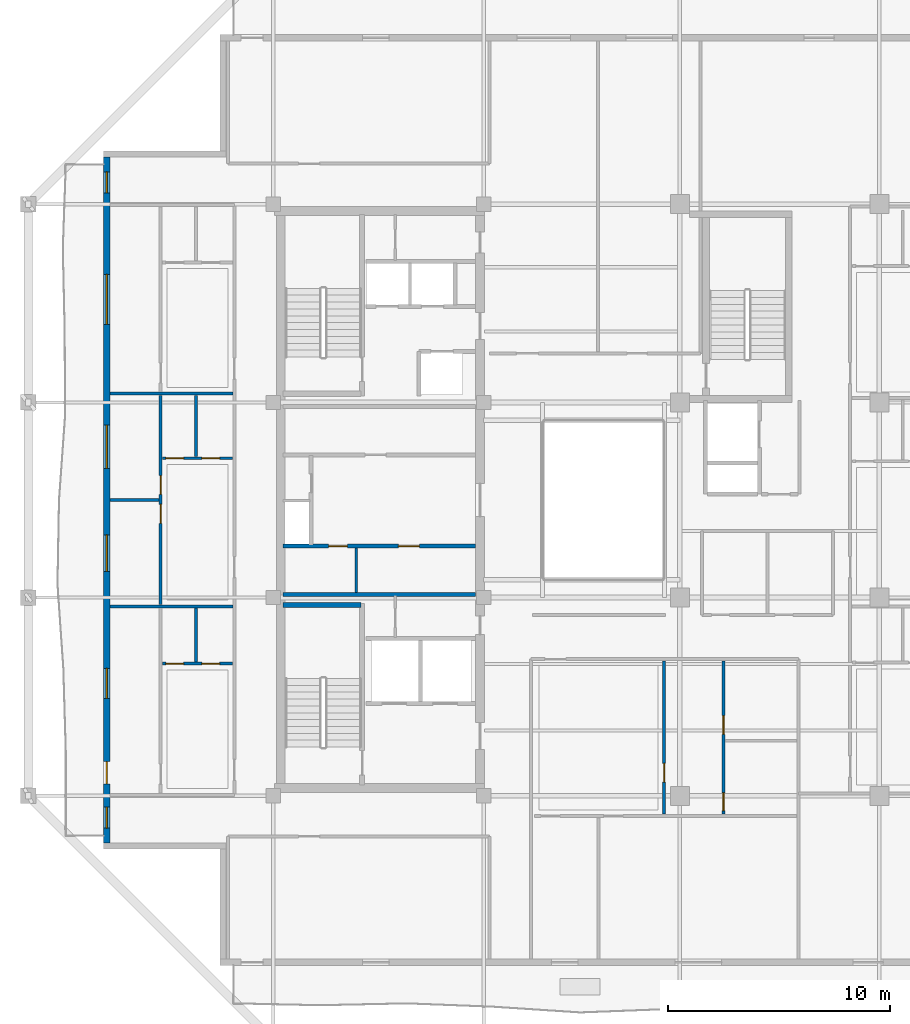
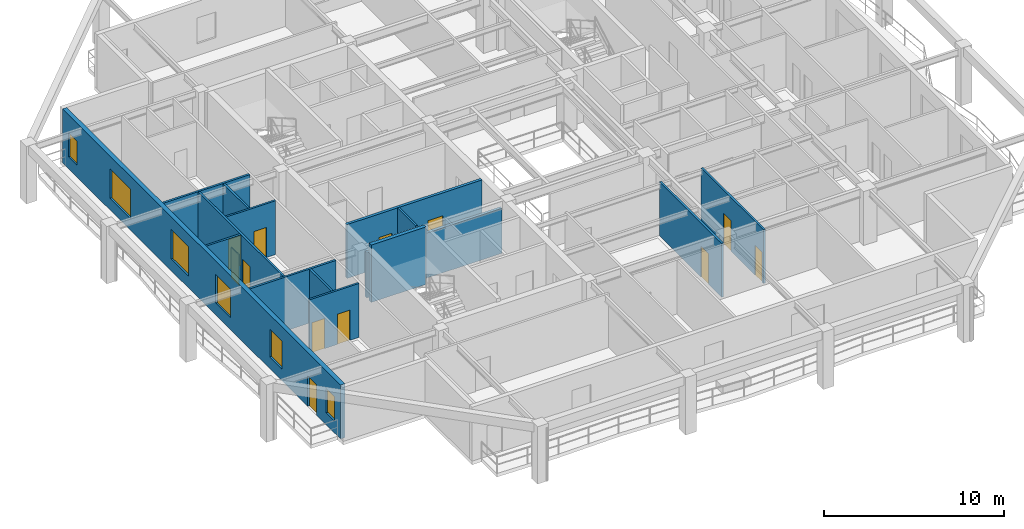
# One storey, part 3 of 13: 15 walls, 12 doors, 6 windows, 18 openings.
"""IFC4 building model written with IfcOpenShell, lengths in metres."""

from ifc_helpers import new_model, si_unit, direction, frame, frame_2d, origin, place, context, subcontext, project, spatial, rectangle, extrude, material, layer, layer_set, type_object, element, fill, save


model = new_model("IFC4")

# Units and contexts
model_context = context("Model", 3, precision=1e-05, world=origin(), true_north=direction((0.0, 1.0)))
body_context = subcontext(model_context, "Body", "Model", "MODEL_VIEW")
ifc_project = project(units=[si_unit("LENGTHUNIT", "METRE"), si_unit("AREAUNIT", "SQUARE_METRE"), si_unit("VOLUMEUNIT", "CUBIC_METRE"), si_unit("PLANEANGLEUNIT", "RADIAN"), si_unit("MASSUNIT", "GRAM", prefix="KILO")], contexts=[model_context])

# Site, building, storey
site_placement = place(None, origin())
site = spatial("IfcSite", under=ifc_project, at=site_placement, CompositionType="ELEMENT")
building_placement = place(site_placement, origin())
building = spatial("IfcBuilding", under=site, at=building_placement, Name="Kundavana Baori Tower", CompositionType="ELEMENT")
storey_placement = place(building_placement, frame((0.0, 0.0, 229.699951171875)))
storey = spatial("IfcBuildingStorey", under=building, at=storey_placement, Name="L56", CompositionType="ELEMENT", Elevation=229.699951171875)

# Wall
ifc_material_1 = material(Name="Concrete C50/60", Category="concrete")
ifc_layer_1 = layer(ifc_material_1, 0.39990234375, Name="WL-CORE-400")
ifc_layer_set_1 = layer_set([ifc_layer_1], Name="Concrete C50/60")
wall_type_1 = type_object("IfcWallType", Name="WL-CORE-400", PredefinedType="SHEAR", material=ifc_layer_set_1)
wall_1_placement = place(storey_placement, frame((15.89990234375, 23.860107421875, 0.0), z_axis=(0.0, 0.0, 1.0), x_axis=(1.0, 0.0, 0.0)))
element("IfcWall", 1, at=wall_1_placement, inside=storey, type_object=wall_type_1, Name="WL-L56-ST1-N", PredefinedType="SHEAR", context=body_context, shape_type="SweptSolid", body=[
    extrude(rectangle(XDim=3.52001953125, YDim=0.239990234375, at=frame_2d((1.760009765625, 0.0))), origin(), (0.0, 0.0, 1.0), 3.900146484375),
])

# Wall, openings, door, windows
ifc_material_2 = material(Name="Red-Buff Dholpur Sandstone Cladding on Concrete C40/50", Category="masonry")
ifc_layer_2 = layer(ifc_material_2, 0.280029296875, Name="WL-EXT-SAND-280")
ifc_layer_set_2 = layer_set([ifc_layer_2], Name="Red-Buff Dholpur Sandstone Cladding on Concrete C40/50")
wall_type_2 = type_object("IfcWallType", Name="WL-EXT-SAND-280", PredefinedType="STANDARD", material=ifc_layer_set_2)
wall_2_placement = place(storey_placement, frame((7.93994140625, 44.070068359375, 0.0), z_axis=(0.0, 0.0, 1.0), x_axis=(0.0, -1.0, 0.0)))
wall_2 = element("IfcWall", 2, at=wall_2_placement, inside=storey, type_object=wall_type_2, Name="L56 Exterior Insulated Facade Wall 10", PredefinedType="STANDARD", context=body_context, shape_type="SweptSolid", body=[
    extrude(rectangle(XDim=30.940185546875, YDim=0.280029296875, at=frame_2d((15.47021484375, 0.0))), origin(), (0.0, 0.0, 1.0), 3.66015625),
])
opening_1_placement = place(wall_2_placement, frame((29.324951171875, 0.0, 0.800048828125)))
opening_1 = element("IfcOpeningElement", 3, at=opening_1_placement, cuts=wall_2, Name="Opening W-13", PredefinedType="OPENING", context=body_context, shape_type="SweptSolid", body=[
    extrude(rectangle(XDim=0.949951171875, YDim=1.64990234375, at=frame_2d((0.47509765625, 0.824951171875))), frame((0.0, 0.14990234375, 0.0), z_axis=(0.0, -1.0, 0.0), x_axis=(1.0, 0.0, 0.0)), (0.0, 0.0, 1.0), 0.300048828125),
])
opening_2_placement = place(wall_2_placement, frame((27.280029296875, 0.0, 0.0)))
opening_2 = element("IfcOpeningElement", 4, at=opening_2_placement, cuts=wall_2, Name="Opening BD-1", PredefinedType="OPENING", context=body_context, shape_type="SweptSolid", body=[
    extrude(rectangle(XDim=1.0, YDim=2.050048828125, at=frame_2d((0.5, 1.02490234375))), frame((0.0, 0.14990234375, 0.0), z_axis=(0.0, -1.0, 0.0), x_axis=(1.0, 0.0, 0.0)), (0.0, 0.0, 1.0), 0.300048828125),
])
opening_3_placement = place(wall_2_placement, frame((23.070068359375, 0.0, 0.800048828125)))
opening_3 = element("IfcOpeningElement", 5, at=opening_3_placement, cuts=wall_2, Name="Opening W-07", PredefinedType="OPENING", context=body_context, shape_type="SweptSolid", body=[
    extrude(rectangle(XDim=1.35009765625, YDim=1.89990234375, at=frame_2d((0.675048828125, 0.949951171875))), frame((0.0, 0.14990234375, 0.0), z_axis=(0.0, -1.0, 0.0), x_axis=(1.0, 0.0, 0.0)), (0.0, 0.0, 1.0), 0.300048828125),
])
opening_4_placement = place(wall_2_placement, frame((17.044921875, 0.0, 0.800048828125)))
opening_4 = element("IfcOpeningElement", 6, at=opening_4_placement, cuts=wall_2, Name="Opening W-08", PredefinedType="OPENING", context=body_context, shape_type="SweptSolid", body=[
    extrude(rectangle(XDim=1.64990234375, YDim=1.949951171875, at=frame_2d((0.824951171875, 0.97509765625))), frame((0.0, 0.14990234375, 0.0), z_axis=(0.0, -1.0, 0.0), x_axis=(1.0, 0.0, 0.0)), (0.0, 0.0, 1.0), 0.300048828125),
])
opening_5_placement = place(wall_2_placement, frame((12.094970703125, 0.0, 0.800048828125)))
opening_5 = element("IfcOpeningElement", 7, at=opening_5_placement, cuts=wall_2, Name="Opening W-09", PredefinedType="OPENING", context=body_context, shape_type="SweptSolid", body=[
    extrude(rectangle(XDim=1.949951171875, YDim=2.0, at=frame_2d((0.97509765625, 1.0))), frame((0.0, 0.14990234375, 0.0), z_axis=(0.0, -1.0, 0.0), x_axis=(1.0, 0.0, 0.0)), (0.0, 0.0, 1.0), 0.300048828125),
])
opening_6_placement = place(wall_2_placement, frame((5.294921875, 0.0, 0.800048828125)))
opening_6 = element("IfcOpeningElement", 8, at=opening_6_placement, cuts=wall_2, Name="Opening W-10", PredefinedType="OPENING", context=body_context, shape_type="SweptSolid", body=[
    extrude(rectangle(XDim=2.25, YDim=2.0, at=frame_2d((1.125, 1.0))), frame((0.0, 0.14990234375, 0.0), z_axis=(0.0, -1.0, 0.0), x_axis=(1.0, 0.0, 0.0)), (0.0, 0.0, 1.0), 0.300048828125),
])
opening_7_placement = place(wall_2_placement, frame((0.6650390625, 0.0, 0.800048828125)))
opening_7 = element("IfcOpeningElement", 9, at=opening_7_placement, cuts=wall_2, Name="Opening W-13", PredefinedType="OPENING", context=body_context, shape_type="SweptSolid", body=[
    extrude(rectangle(XDim=0.949951171875, YDim=1.64990234375, at=frame_2d((0.47509765625, 0.824951171875))), frame((0.0, 0.14990234375, 0.0), z_axis=(0.0, -1.0, 0.0), x_axis=(1.0, 0.0, 0.0)), (0.0, 0.0, 1.0), 0.300048828125),
])
ifc_material_3 = material(Name="Architectural Patinated Bronze Metalwork")
door_type_1 = type_object("IfcDoorType", Name="DR-EXT-LOG-1000", OperationType="NOTDEFINED", PredefinedType="DOOR", material=ifc_material_3)
door_1_placement = place(opening_2_placement, frame((1.0, 0.0, 0.0), z_axis=(0.0, 0.0, 1.0), x_axis=(-1.0, 0.0, 0.0)))
door_1 = element("IfcDoor", 10, at=door_1_placement, inside=storey, type_object=door_type_1, Name="L56 Loggia Balcony Access Door W", OperationType="SINGLE_SWING_LEFT", OverallHeight=2.050048828125, OverallWidth=1.0, PredefinedType="DOOR", context=body_context, shape_type="SweptSolid", body=[
    extrude(rectangle(XDim=1.0, YDim=2.050048828125, at=frame_2d((0.5, 1.02490234375))), frame((0.0, 0.02490234375, 0.0), z_axis=(0.0, -1.0, 0.0), x_axis=(1.0, 0.0, 0.0)), (0.0, 0.0, 1.0), 0.050048828125),
])
fill(opening_2, door_1)
ifc_material_4 = material(Name="Double-Glazed Solar-Control Low-E Insulated Glass", Category="glass")
window_type_1 = type_object("IfcWindowType", Name="WIN-LOG-1350x1900", PartitioningType="SINGLE_PANEL", PredefinedType="WINDOW", material=ifc_material_4)
window_1_placement = place(opening_3_placement, origin())
window_1 = element("IfcWindow", 11, at=window_1_placement, inside=storey, type_object=window_type_1, Name="L56 Recessed Loggia Window W-2", OverallHeight=1.89990234375, OverallWidth=1.35009765625, PartitioningType="SINGLE_PANEL", PredefinedType="WINDOW", context=body_context, shape_type="SweptSolid", body=[
    extrude(rectangle(XDim=1.35009765625, YDim=1.89990234375, at=frame_2d((0.675048828125, 0.949951171875))), frame((0.0, 0.030029296875, 0.0), z_axis=(0.0, -1.0, 0.0), x_axis=(1.0, 0.0, 0.0)), (0.0, 0.0, 1.0), 0.06005859375),
])
fill(opening_3, window_1)
ifc_material_5 = material(Name="Double-Glazed Solar-Control Low-E Insulated Glass", Category="glass")
window_type_2 = type_object("IfcWindowType", Name="WIN-LOG-1650x1950", PartitioningType="SINGLE_PANEL", PredefinedType="WINDOW", material=ifc_material_5)
window_2_placement = place(opening_4_placement, origin())
window_2 = element("IfcWindow", 12, at=window_2_placement, inside=storey, type_object=window_type_2, Name="L56 Recessed Loggia Window W-3", OverallHeight=1.949951171875, OverallWidth=1.64990234375, PartitioningType="SINGLE_PANEL", PredefinedType="WINDOW", context=body_context, shape_type="SweptSolid", body=[
    extrude(rectangle(XDim=1.64990234375, YDim=1.949951171875, at=frame_2d((0.824951171875, 0.97509765625))), frame((0.0, 0.030029296875, 0.0), z_axis=(0.0, -1.0, 0.0), x_axis=(1.0, 0.0, 0.0)), (0.0, 0.0, 1.0), 0.06005859375),
])
fill(opening_4, window_2)
ifc_material_6 = material(Name="Double-Glazed Solar-Control Low-E Insulated Glass", Category="glass")
window_type_3 = type_object("IfcWindowType", Name="WIN-LOG-1950x2000", PartitioningType="SINGLE_PANEL", PredefinedType="WINDOW", material=ifc_material_6)
window_3_placement = place(opening_5_placement, origin())
window_3 = element("IfcWindow", 13, at=window_3_placement, inside=storey, type_object=window_type_3, Name="L56 Recessed Loggia Window W-4", OverallHeight=2.0, OverallWidth=1.949951171875, PartitioningType="SINGLE_PANEL", PredefinedType="WINDOW", context=body_context, shape_type="SweptSolid", body=[
    extrude(rectangle(XDim=1.949951171875, YDim=2.0, at=frame_2d((0.97509765625, 1.0))), frame((0.0, 0.030029296875, 0.0), z_axis=(0.0, -1.0, 0.0), x_axis=(1.0, 0.0, 0.0)), (0.0, 0.0, 1.0), 0.06005859375),
])
fill(opening_5, window_3)
ifc_material_7 = material(Name="Double-Glazed Solar-Control Low-E Insulated Glass", Category="glass")
window_type_4 = type_object("IfcWindowType", Name="WIN-LOG-2250x2000", PartitioningType="SINGLE_PANEL", PredefinedType="WINDOW", material=ifc_material_7)
window_4_placement = place(opening_6_placement, origin())
window_4 = element("IfcWindow", 14, at=window_4_placement, inside=storey, type_object=window_type_4, Name="L56 Recessed Loggia Window W-5", OverallHeight=2.0, OverallWidth=2.25, PartitioningType="SINGLE_PANEL", PredefinedType="WINDOW", context=body_context, shape_type="SweptSolid", body=[
    extrude(rectangle(XDim=2.25, YDim=2.0, at=frame_2d((1.125, 1.0))), frame((0.0, 0.030029296875, 0.0), z_axis=(0.0, -1.0, 0.0), x_axis=(1.0, 0.0, 0.0)), (0.0, 0.0, 1.0), 0.06005859375),
])
fill(opening_6, window_4)
ifc_material_8 = material(Name="Double-Glazed Solar-Control Low-E Insulated Glass", Category="glass")
window_type_5 = type_object("IfcWindowType", Name="WIN-LOG-950x1650", PartitioningType="SINGLE_PANEL", PredefinedType="WINDOW", material=ifc_material_8)
window_5_placement = place(opening_1_placement, origin())
window_5 = element("IfcWindow", 15, at=window_5_placement, inside=storey, type_object=window_type_5, Name="L56 Recessed Loggia Window W-1", OverallHeight=1.64990234375, OverallWidth=0.949951171875, PartitioningType="SINGLE_PANEL", PredefinedType="WINDOW", context=body_context, shape_type="SweptSolid", body=[
    extrude(rectangle(XDim=0.949951171875, YDim=1.64990234375, at=frame_2d((0.47509765625, 0.824951171875))), frame((0.0, 0.030029296875, 0.0), z_axis=(0.0, -1.0, 0.0), x_axis=(1.0, 0.0, 0.0)), (0.0, 0.0, 1.0), 0.06005859375),
])
fill(opening_1, window_5)
window_6_placement = place(opening_7_placement, origin())
window_6 = element("IfcWindow", 16, at=window_6_placement, inside=storey, type_object=window_type_5, Name="L56 Recessed Loggia Window W-6", OverallHeight=1.64990234375, OverallWidth=0.949951171875, PartitioningType="SINGLE_PANEL", PredefinedType="WINDOW", context=body_context, shape_type="SweptSolid", body=[
    extrude(rectangle(XDim=0.949951171875, YDim=1.64990234375, at=frame_2d((0.47509765625, 0.824951171875))), frame((0.0, 0.030029296875, 0.0), z_axis=(0.0, -1.0, 0.0), x_axis=(1.0, 0.0, 0.0)), (0.0, 0.0, 1.0), 0.06005859375),
])
fill(opening_7, window_6)

# Walls
ifc_material_9 = material(Name="Acoustic Gypsum Plasterboard on Galvanised Steel Studs", Category="steel")
ifc_layer_3 = layer(ifc_material_9, 0.1201171875, Name="WL-PART-120")
ifc_layer_set_3 = layer_set([ifc_layer_3], Name="Acoustic Gypsum Plasterboard on Galvanised Steel Studs")
wall_type_3 = type_object("IfcWallType", Name="WL-PART-120", PredefinedType="PARTITIONING", material=ifc_layer_set_3)
wall_3_placement = place(storey_placement, frame((19.199951171875, 24.419921875, 0.0), z_axis=(0.0, 0.0, 1.0), x_axis=(0.0, 1.0, 0.0)))
element("IfcWall", 17, at=wall_3_placement, inside=storey, type_object=wall_type_3, Name="WL-L56-FRLOW-DIV", PredefinedType="PARTITIONING", context=body_context, shape_type="SweptSolid", body=[
    extrude(rectangle(XDim=2.02001953125, YDim=0.1201171875, at=frame_2d((1.010009765625, 0.0))), origin(), (0.0, 0.0, 1.0), 3.66015625),
])
ifc_material_10 = material(Name="Acoustic Gypsum Plasterboard on Galvanised Steel Studs", Category="steel")
ifc_layer_4 = layer(ifc_material_10, 0.135009765625, Name="WL-PART-135")
ifc_layer_set_4 = layer_set([ifc_layer_4], Name="Acoustic Gypsum Plasterboard on Galvanised Steel Studs")
wall_type_4 = type_object("IfcWallType", Name="WL-PART-135", PredefinedType="PARTITIONING", material=ifc_layer_set_4)
wall_4_placement = place(storey_placement, frame((8.080078125, 23.800048828125, 0.0), z_axis=(0.0, 0.0, 1.0), x_axis=(1.0, 0.0, 0.0)))
element("IfcWall", 18, at=wall_4_placement, inside=storey, type_object=wall_type_4, Name="WL-L56-RWD1", PredefinedType="PARTITIONING", context=body_context, shape_type="SweptSolid", body=[
    extrude(rectangle(XDim=5.559814453125, YDim=0.135009765625, at=frame_2d((2.77978515625, 0.0))), origin(), (0.0, 0.0, 1.0), 3.66015625),
])

# Wall, openings, doors
wall_5_placement = place(storey_placement, frame((10.3701171875, 23.8798828125, 0.0), z_axis=(0.0, 0.0, 1.0), x_axis=(0.0, 1.0, 0.0)))
wall_5 = element("IfcWall", 19, at=wall_5_placement, inside=storey, type_object=wall_type_4, Name="WL-L56-W2-VT", PredefinedType="PARTITIONING", context=body_context, shape_type="SweptSolid", body=[
    extrude(rectangle(XDim=9.440185546875, YDim=0.135009765625, at=frame_2d((4.72021484375, 0.0))), origin(), (0.0, 0.0, 1.0), 3.66015625),
])
opening_8_placement = place(wall_5_placement, frame((3.669921875, 0.0, 0.0)))
opening_8 = element("IfcOpeningElement", 20, at=opening_8_placement, cuts=wall_5, Name="Opening ID-085", PredefinedType="OPENING", context=body_context, shape_type="SweptSolid", body=[
    extrude(rectangle(XDim=0.85009765625, YDim=2.080078125, at=frame_2d((0.425048828125, 1.0400390625))), frame((0.0, 0.07763671875, 0.0), z_axis=(0.0, -1.0, 0.0), x_axis=(1.0, 0.0, 0.0)), (0.0, 0.0, 1.0), 0.155029296875),
])
opening_9_placement = place(wall_5_placement, frame((4.969970703125, 0.0, 0.0)))
opening_9 = element("IfcOpeningElement", 21, at=opening_9_placement, cuts=wall_5, Name="Opening ID-085", PredefinedType="OPENING", context=body_context, shape_type="SweptSolid", body=[
    extrude(rectangle(XDim=0.85009765625, YDim=2.080078125, at=frame_2d((0.425048828125, 1.0400390625))), frame((0.0, 0.07763671875, 0.0), z_axis=(0.0, -1.0, 0.0), x_axis=(1.0, 0.0, 0.0)), (0.0, 0.0, 1.0), 0.155029296875),
])
ifc_material_11 = material(Name="Engineered Teak Solid-Core Timber Veneer", Category="wood")
door_type_2 = type_object("IfcDoorType", Name="DR-INT-850", OperationType="NOTDEFINED", PredefinedType="DOOR", material=ifc_material_11)
door_2_placement = place(opening_8_placement, frame((0.85009765625, 0.0, 0.0), z_axis=(0.0, 0.0, 1.0), x_axis=(-1.0, 0.0, 0.0)))
door_2 = element("IfcDoor", 22, at=door_2_placement, inside=storey, type_object=door_type_2, Name="DR-L56-W2-B1", OperationType="SINGLE_SWING_LEFT", OverallHeight=2.080078125, OverallWidth=0.85009765625, PredefinedType="DOOR", context=body_context, shape_type="SweptSolid", body=[
    extrude(rectangle(XDim=0.85009765625, YDim=2.080078125, at=frame_2d((0.425048828125, 1.0400390625))), frame((0.0, 0.02490234375, 0.0), z_axis=(0.0, -1.0, 0.0), x_axis=(1.0, 0.0, 0.0)), (0.0, 0.0, 1.0), 0.050048828125),
])
fill(opening_8, door_2)
door_3_placement = place(opening_9_placement, frame((0.85009765625, 0.0, 0.0), z_axis=(0.0, 0.0, 1.0), x_axis=(-1.0, 0.0, 0.0)))
door_3 = element("IfcDoor", 23, at=door_3_placement, inside=storey, type_object=door_type_2, Name="DR-L56-W2-B2", OperationType="SINGLE_SWING_RIGHT", OverallHeight=2.080078125, OverallWidth=0.85009765625, PredefinedType="DOOR", context=body_context, shape_type="SweptSolid", body=[
    extrude(rectangle(XDim=0.85009765625, YDim=2.080078125, at=frame_2d((0.425048828125, 1.0400390625))), frame((0.0, 0.02490234375, 0.0), z_axis=(0.0, -1.0, 0.0), x_axis=(1.0, 0.0, 0.0)), (0.0, 0.0, 1.0), 0.050048828125),
])
fill(opening_9, door_3)

# Walls
wall_6_placement = place(storey_placement, frame((8.080078125, 28.60009765625, 0.0), z_axis=(0.0, 0.0, 1.0), x_axis=(1.0, 0.0, 0.0)))
element("IfcWall", 24, at=wall_6_placement, inside=storey, type_object=wall_type_4, Name="WL-L56-W2-BDH", PredefinedType="PARTITIONING", context=body_context, shape_type="SweptSolid", body=[
    extrude(rectangle(XDim=2.2099609375, YDim=0.135009765625, at=frame_2d((1.10498046875, 0.0))), origin(), (0.0, 0.0, 1.0), 3.66015625),
])
wall_7_placement = place(storey_placement, frame((8.080078125, 33.39990234375, 0.0), z_axis=(0.0, 0.0, 1.0), x_axis=(1.0, 0.0, 0.0)))
element("IfcWall", 25, at=wall_7_placement, inside=storey, type_object=wall_type_4, Name="WL-L56-RWD2", PredefinedType="PARTITIONING", context=body_context, shape_type="SweptSolid", body=[
    extrude(rectangle(XDim=5.559814453125, YDim=0.135009765625, at=frame_2d((2.77978515625, 0.0))), origin(), (0.0, 0.0, 1.0), 3.66015625),
])

# Wall, opening, door
wall_8_placement = place(storey_placement, frame((33.090087890625, 14.4208984375, 0.0), z_axis=(0.0, 0.0, 1.0), x_axis=(0.0, 1.0, 0.0)))
wall_8 = element("IfcWall", 26, at=wall_8_placement, inside=storey, type_object=wall_type_4, Name="WL-L56-S1-STU", PredefinedType="PARTITIONING", context=body_context, shape_type="SweptSolid", body=[
    extrude(rectangle(XDim=6.919189453125, YDim=0.135009765625, at=frame_2d((3.45947265625, 0.0))), origin(), (0.0, 0.0, 1.0), 3.66015625),
])
opening_10_placement = place(wall_8_placement, frame((1.449951171875, 0.0, 0.0)))
opening_10 = element("IfcOpeningElement", 27, at=opening_10_placement, cuts=wall_8, Name="Opening ID-085", PredefinedType="OPENING", context=body_context, shape_type="SweptSolid", body=[
    extrude(rectangle(XDim=0.85009765625, YDim=2.080078125, at=frame_2d((0.425048828125, 1.0400390625))), frame((0.0, 0.07763671875, 0.0), z_axis=(0.0, -1.0, 0.0), x_axis=(1.0, 0.0, 0.0)), (0.0, 0.0, 1.0), 0.155029296875),
])
door_4_placement = place(opening_10_placement, origin())
door_4 = element("IfcDoor", 28, at=door_4_placement, inside=storey, type_object=door_type_2, Name="DR-L56-S1-STD", OperationType="SINGLE_SWING_LEFT", OverallHeight=2.080078125, OverallWidth=0.85009765625, PredefinedType="DOOR", context=body_context, shape_type="SweptSolid", body=[
    extrude(rectangle(XDim=0.85009765625, YDim=2.080078125, at=frame_2d((0.425048828125, 1.0400390625))), frame((0.0, 0.02490234375, 0.0), z_axis=(0.0, -1.0, 0.0), x_axis=(1.0, 0.0, 0.0)), (0.0, 0.0, 1.0), 0.050048828125),
])
fill(opening_10, door_4)

# Wall, openings, doors
ifc_material_12 = material(Name="Autoclaved Aerated Concrete Blockwork Masonry", Category="masonry")
ifc_layer_5 = layer(ifc_material_12, 0.179931640625, Name="WL-SHAFT-180")
ifc_layer_set_5 = layer_set([ifc_layer_5], Name="Autoclaved Aerated Concrete Blockwork Masonry")
wall_type_5 = type_object("IfcWallType", Name="WL-SHAFT-180", PredefinedType="SOLIDWALL", material=ifc_layer_set_5)
wall_9_placement = place(storey_placement, frame((15.89990234375, 26.52001953125, 0.0), z_axis=(0.0, 0.0, 1.0), x_axis=(1.0, 0.0, 0.0)))
wall_9 = element("IfcWall", 29, at=wall_9_placement, inside=storey, type_object=wall_type_5, Name="WL-L56-LPLOW-N", PredefinedType="SOLIDWALL", context=body_context, shape_type="SweptSolid", body=[
    extrude(rectangle(XDim=8.68017578125, YDim=0.179931640625, at=frame_2d((4.340087890625, 0.0))), origin(), (0.0, 0.0, 1.0), 3.66015625),
])
opening_11_placement = place(wall_9_placement, frame((2.050048828125, 0.0, 0.0)))
opening_11 = element("IfcOpeningElement", 30, at=opening_11_placement, cuts=wall_9, Name="Opening FD-085", PredefinedType="OPENING", context=body_context, shape_type="SweptSolid", body=[
    extrude(rectangle(XDim=0.85009765625, YDim=2.06005859375, at=frame_2d((0.425048828125, 1.030029296875))), frame((0.0, 0.10009765625, 0.0), z_axis=(0.0, -1.0, 0.0), x_axis=(1.0, 0.0, 0.0)), (0.0, 0.0, 1.0), 0.199951171875),
])
opening_12_placement = place(wall_9_placement, frame((5.199951171875, 0.0, 0.0)))
opening_12 = element("IfcOpeningElement", 31, at=opening_12_placement, cuts=wall_9, Name="Opening FD-095", PredefinedType="OPENING", context=body_context, shape_type="SweptSolid", body=[
    extrude(rectangle(XDim=0.949951171875, YDim=2.10009765625, at=frame_2d((0.47509765625, 1.050048828125))), frame((0.0, 0.10009765625, 0.0), z_axis=(0.0, -1.0, 0.0), x_axis=(1.0, 0.0, 0.0)), (0.0, 0.0, 1.0), 0.199951171875),
])
ifc_material_13 = material(Name="Galvanised Steel Fire-Rated Door Leaf", Category="steel")
door_type_3 = type_object("IfcDoorType", Name="DR-FD60-850", OperationType="NOTDEFINED", PredefinedType="DOOR", material=ifc_material_13)
door_5_placement = place(opening_11_placement, origin())
door_5 = element("IfcDoor", 32, at=door_5_placement, inside=storey, type_object=door_type_3, Name="DR-L56-FRLOW1", OperationType="SINGLE_SWING_LEFT", OverallHeight=2.06005859375, OverallWidth=0.85009765625, PredefinedType="DOOR", context=body_context, shape_type="SweptSolid", body=[
    extrude(rectangle(XDim=0.85009765625, YDim=2.06005859375, at=frame_2d((0.425048828125, 1.030029296875))), frame((0.0, 0.02490234375, 0.0), z_axis=(0.0, -1.0, 0.0), x_axis=(1.0, 0.0, 0.0)), (0.0, 0.0, 1.0), 0.050048828125),
])
fill(opening_11, door_5)
ifc_material_14 = material(Name="Engineered Teak Fire-Rated Timber Door Leaf", Category="wood")
door_type_4 = type_object("IfcDoorType", Name="DR-FD60-950", OperationType="NOTDEFINED", PredefinedType="DOOR", material=ifc_material_14)
door_6_placement = place(opening_12_placement, origin())
door_6 = element("IfcDoor", 33, at=door_6_placement, inside=storey, type_object=door_type_4, Name="DR-L56-FRLOW2", OperationType="SINGLE_SWING_RIGHT", OverallHeight=2.10009765625, OverallWidth=0.949951171875, PredefinedType="DOOR", context=body_context, shape_type="SweptSolid", body=[
    extrude(rectangle(XDim=0.949951171875, YDim=2.10009765625, at=frame_2d((0.47509765625, 1.050048828125))), frame((0.0, 0.02490234375, 0.0), z_axis=(0.0, -1.0, 0.0), x_axis=(1.0, 0.0, 0.0)), (0.0, 0.0, 1.0), 0.050048828125),
])
fill(opening_12, door_6)

# Wall
wall_10_placement = place(storey_placement, frame((15.89990234375, 24.330078125, 0.0), z_axis=(0.0, 0.0, 1.0), x_axis=(1.0, 0.0, 0.0)))
element("IfcWall", 34, at=wall_10_placement, inside=storey, type_object=wall_type_5, Name="WL-L56-LPLOW-S", PredefinedType="SOLIDWALL", context=body_context, shape_type="SweptSolid", body=[
    extrude(rectangle(XDim=8.68017578125, YDim=0.179931640625, at=frame_2d((4.340087890625, 0.0))), origin(), (0.0, 0.0, 1.0), 3.06005859375),
])

# Wall, openings, doors
ifc_material_15 = material(Name="Autoclaved Aerated Concrete Blockwork Masonry", Category="masonry")
ifc_layer_6 = layer(ifc_material_15, 0.125, Name="WL-WET-120")
ifc_layer_set_6 = layer_set([ifc_layer_6], Name="Autoclaved Aerated Concrete Blockwork Masonry")
wall_type_6 = type_object("IfcWallType", Name="WL-WET-120", PredefinedType="PLUMBINGWALL", material=ifc_layer_set_6)
wall_11_placement = place(storey_placement, frame((10.449951171875, 21.218017578125, 0.0), z_axis=(0.0, 0.0, 1.0), x_axis=(1.0, 0.0, 0.0)))
wall_11 = element("IfcWall", 35, at=wall_11_placement, inside=storey, type_object=wall_type_6, Name="WL-L56-W1-KH", PredefinedType="PLUMBINGWALL", context=body_context, shape_type="SweptSolid", body=[
    extrude(rectangle(XDim=3.170166015625, YDim=0.125, at=frame_2d((1.5849609375, 0.0))), origin(), (0.0, 0.0, 1.0), 3.66015625),
])
opening_13_placement = place(wall_11_placement, frame((0.159912109375, 0.0, 0.0)))
opening_13 = element("IfcOpeningElement", 36, at=opening_13_placement, cuts=wall_11, Name="Opening WD-080", PredefinedType="OPENING", context=body_context, shape_type="SweptSolid", body=[
    extrude(rectangle(XDim=0.800048828125, YDim=2.050048828125, at=frame_2d((0.39990234375, 1.02490234375))), frame((0.0, 0.072509765625, 0.0), z_axis=(0.0, -1.0, 0.0), x_axis=(1.0, 0.0, 0.0)), (0.0, 0.0, 1.0), 0.14501953125),
])
opening_14_placement = place(wall_11_placement, frame((1.781982421875, 0.0, 0.0)))
opening_14 = element("IfcOpeningElement", 37, at=opening_14_placement, cuts=wall_11, Name="Opening WD-080", PredefinedType="OPENING", context=body_context, shape_type="SweptSolid", body=[
    extrude(rectangle(XDim=0.800048828125, YDim=2.050048828125, at=frame_2d((0.39990234375, 1.02490234375))), frame((0.0, 0.072509765625, 0.0), z_axis=(0.0, -1.0, 0.0), x_axis=(1.0, 0.0, 0.0)), (0.0, 0.0, 1.0), 0.14501953125),
])
ifc_material_16 = material(Name="Engineered Teak Solid-Core Timber Veneer", Category="wood")
door_type_5 = type_object("IfcDoorType", Name="DR-WET-800", OperationType="NOTDEFINED", PredefinedType="DOOR", material=ifc_material_16)
door_7_placement = place(opening_13_placement, origin())
door_7 = element("IfcDoor", 38, at=door_7_placement, inside=storey, type_object=door_type_5, Name="DR-L56-W1-BT", OperationType="SINGLE_SWING_LEFT", OverallHeight=2.050048828125, OverallWidth=0.800048828125, PredefinedType="DOOR", context=body_context, shape_type="SweptSolid", body=[
    extrude(rectangle(XDim=0.800048828125, YDim=2.050048828125, at=frame_2d((0.39990234375, 1.02490234375))), frame((0.0, 0.02490234375, 0.0), z_axis=(0.0, -1.0, 0.0), x_axis=(1.0, 0.0, 0.0)), (0.0, 0.0, 1.0), 0.050048828125),
])
fill(opening_13, door_7)
door_8_placement = place(opening_14_placement, origin())
door_8 = element("IfcDoor", 39, at=door_8_placement, inside=storey, type_object=door_type_5, Name="DR-L56-W1-KT", OperationType="SINGLE_SWING_RIGHT", OverallHeight=2.050048828125, OverallWidth=0.800048828125, PredefinedType="DOOR", context=body_context, shape_type="SweptSolid", body=[
    extrude(rectangle(XDim=0.800048828125, YDim=2.050048828125, at=frame_2d((0.39990234375, 1.02490234375))), frame((0.0, 0.02490234375, 0.0), z_axis=(0.0, -1.0, 0.0), x_axis=(1.0, 0.0, 0.0)), (0.0, 0.0, 1.0), 0.050048828125),
])
fill(opening_14, door_8)

# Wall
wall_12_placement = place(storey_placement, frame((11.971923828125, 21.298095703125, 0.0), z_axis=(0.0, 0.0, 1.0), x_axis=(0.0, 1.0, 0.0)))
element("IfcWall", 40, at=wall_12_placement, inside=storey, type_object=wall_type_6, Name="WL-L56-W1-BV", PredefinedType="PLUMBINGWALL", context=body_context, shape_type="SweptSolid", body=[
    extrude(rectangle(XDim=2.421875, YDim=0.125, at=frame_2d((1.2109375, 0.0))), origin(), (0.0, 0.0, 1.0), 3.66015625),
])

# Wall, openings, doors
wall_13_placement = place(storey_placement, frame((10.449951171875, 30.488037109375, 0.0), z_axis=(0.0, 0.0, 1.0), x_axis=(1.0, 0.0, 0.0)))
wall_13 = element("IfcWall", 41, at=wall_13_placement, inside=storey, type_object=wall_type_6, Name="WL-L56-W2-KH", PredefinedType="PLUMBINGWALL", context=body_context, shape_type="SweptSolid", body=[
    extrude(rectangle(XDim=3.170166015625, YDim=0.125, at=frame_2d((1.5849609375, 0.0))), origin(), (0.0, 0.0, 1.0), 3.66015625),
])
opening_15_placement = place(wall_13_placement, frame((0.159912109375, 0.0, 0.0)))
opening_15 = element("IfcOpeningElement", 42, at=opening_15_placement, cuts=wall_13, Name="Opening WD-080", PredefinedType="OPENING", context=body_context, shape_type="SweptSolid", body=[
    extrude(rectangle(XDim=0.800048828125, YDim=2.050048828125, at=frame_2d((0.39990234375, 1.02490234375))), frame((0.0, 0.072509765625, 0.0), z_axis=(0.0, -1.0, 0.0), x_axis=(1.0, 0.0, 0.0)), (0.0, 0.0, 1.0), 0.14501953125),
])
opening_16_placement = place(wall_13_placement, frame((1.781982421875, 0.0, 0.0)))
opening_16 = element("IfcOpeningElement", 43, at=opening_16_placement, cuts=wall_13, Name="Opening WD-080", PredefinedType="OPENING", context=body_context, shape_type="SweptSolid", body=[
    extrude(rectangle(XDim=0.800048828125, YDim=2.050048828125, at=frame_2d((0.39990234375, 1.02490234375))), frame((0.0, 0.072509765625, 0.0), z_axis=(0.0, -1.0, 0.0), x_axis=(1.0, 0.0, 0.0)), (0.0, 0.0, 1.0), 0.14501953125),
])
door_9_placement = place(opening_15_placement, origin())
door_9 = element("IfcDoor", 44, at=door_9_placement, inside=storey, type_object=door_type_5, Name="DR-L56-W2-BT", OperationType="SINGLE_SWING_LEFT", OverallHeight=2.050048828125, OverallWidth=0.800048828125, PredefinedType="DOOR", context=body_context, shape_type="SweptSolid", body=[
    extrude(rectangle(XDim=0.800048828125, YDim=2.050048828125, at=frame_2d((0.39990234375, 1.02490234375))), frame((0.0, 0.02490234375, 0.0), z_axis=(0.0, -1.0, 0.0), x_axis=(1.0, 0.0, 0.0)), (0.0, 0.0, 1.0), 0.050048828125),
])
fill(opening_15, door_9)
door_10_placement = place(opening_16_placement, origin())
door_10 = element("IfcDoor", 45, at=door_10_placement, inside=storey, type_object=door_type_5, Name="DR-L56-W2-KT", OperationType="SINGLE_SWING_RIGHT", OverallHeight=2.050048828125, OverallWidth=0.800048828125, PredefinedType="DOOR", context=body_context, shape_type="SweptSolid", body=[
    extrude(rectangle(XDim=0.800048828125, YDim=2.050048828125, at=frame_2d((0.39990234375, 1.02490234375))), frame((0.0, 0.02490234375, 0.0), z_axis=(0.0, -1.0, 0.0), x_axis=(1.0, 0.0, 0.0)), (0.0, 0.0, 1.0), 0.050048828125),
])
fill(opening_16, door_10)

# Wall
wall_14_placement = place(storey_placement, frame((11.971923828125, 30.568115234375, 0.0), z_axis=(0.0, 0.0, 1.0), x_axis=(0.0, 1.0, 0.0)))
element("IfcWall", 46, at=wall_14_placement, inside=storey, type_object=wall_type_6, Name="WL-L56-W2-BV", PredefinedType="PLUMBINGWALL", context=body_context, shape_type="SweptSolid", body=[
    extrude(rectangle(XDim=2.751953125, YDim=0.125, at=frame_2d((1.3759765625, 0.0))), origin(), (0.0, 0.0, 1.0), 3.66015625),
])

# Wall, openings, doors
wall_15_placement = place(storey_placement, frame((35.77001953125, 14.4208984375, 0.0), z_axis=(0.0, 0.0, 1.0), x_axis=(0.0, 1.0, 0.0)))
wall_15 = element("IfcWall", 47, at=wall_15_placement, inside=storey, type_object=wall_type_6, Name="WL-L56-S1-KT", PredefinedType="PLUMBINGWALL", context=body_context, shape_type="SweptSolid", body=[
    extrude(rectangle(XDim=6.919189453125, YDim=0.125, at=frame_2d((3.45947265625, 0.0))), origin(), (0.0, 0.0, 1.0), 3.66015625),
])
opening_17_placement = place(wall_15_placement, frame((0.159912109375, 0.0, 0.0)))
opening_17 = element("IfcOpeningElement", 48, at=opening_17_placement, cuts=wall_15, Name="Opening WD-080", PredefinedType="OPENING", context=body_context, shape_type="SweptSolid", body=[
    extrude(rectangle(XDim=0.800048828125, YDim=2.050048828125, at=frame_2d((0.39990234375, 1.02490234375))), frame((0.0, 0.072509765625, 0.0), z_axis=(0.0, -1.0, 0.0), x_axis=(1.0, 0.0, 0.0)), (0.0, 0.0, 1.0), 0.14501953125),
])
opening_18_placement = place(wall_15_placement, frame((3.60107421875, 0.0, 0.0)))
opening_18 = element("IfcOpeningElement", 49, at=opening_18_placement, cuts=wall_15, Name="Opening ID-085", PredefinedType="OPENING", context=body_context, shape_type="SweptSolid", body=[
    extrude(rectangle(XDim=0.85009765625, YDim=2.080078125, at=frame_2d((0.425048828125, 1.0400390625))), frame((0.0, 0.072509765625, 0.0), z_axis=(0.0, -1.0, 0.0), x_axis=(1.0, 0.0, 0.0)), (0.0, 0.0, 1.0), 0.14501953125),
])
door_11_placement = place(opening_18_placement, origin())
door_11 = element("IfcDoor", 50, at=door_11_placement, inside=storey, type_object=door_type_2, Name="DR-L56-S1-KT", OperationType="SINGLE_SWING_RIGHT", OverallHeight=2.080078125, OverallWidth=0.85009765625, PredefinedType="DOOR", context=body_context, shape_type="SweptSolid", body=[
    extrude(rectangle(XDim=0.85009765625, YDim=2.080078125, at=frame_2d((0.425048828125, 1.0400390625))), frame((0.0, 0.02490234375, 0.0), z_axis=(0.0, -1.0, 0.0), x_axis=(1.0, 0.0, 0.0)), (0.0, 0.0, 1.0), 0.050048828125),
])
fill(opening_18, door_11)
door_12_placement = place(opening_17_placement, origin())
door_12 = element("IfcDoor", 51, at=door_12_placement, inside=storey, type_object=door_type_5, Name="DR-L56-S1-BT", OperationType="SINGLE_SWING_LEFT", OverallHeight=2.050048828125, OverallWidth=0.800048828125, PredefinedType="DOOR", context=body_context, shape_type="SweptSolid", body=[
    extrude(rectangle(XDim=0.800048828125, YDim=2.050048828125, at=frame_2d((0.39990234375, 1.02490234375))), frame((0.0, 0.02490234375, 0.0), z_axis=(0.0, -1.0, 0.0), x_axis=(1.0, 0.0, 0.0)), (0.0, 0.0, 1.0), 0.050048828125),
])
fill(opening_17, door_12)

save(model, "model.ifc")
